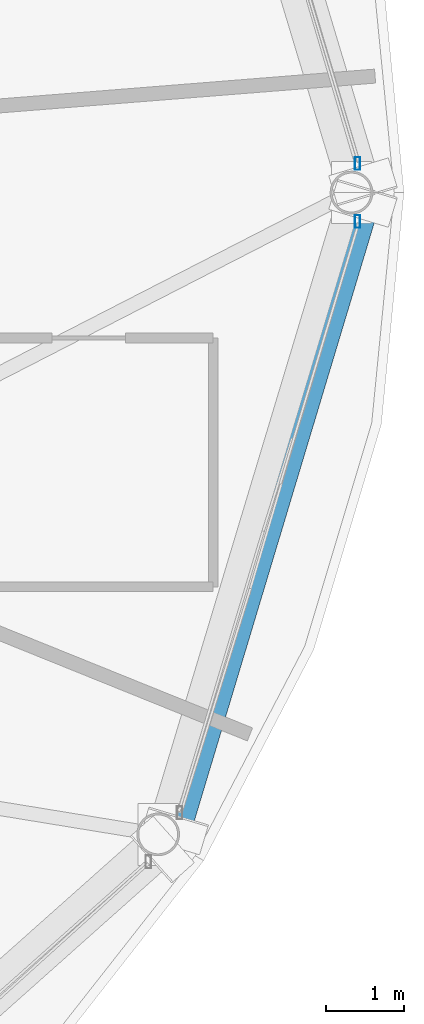
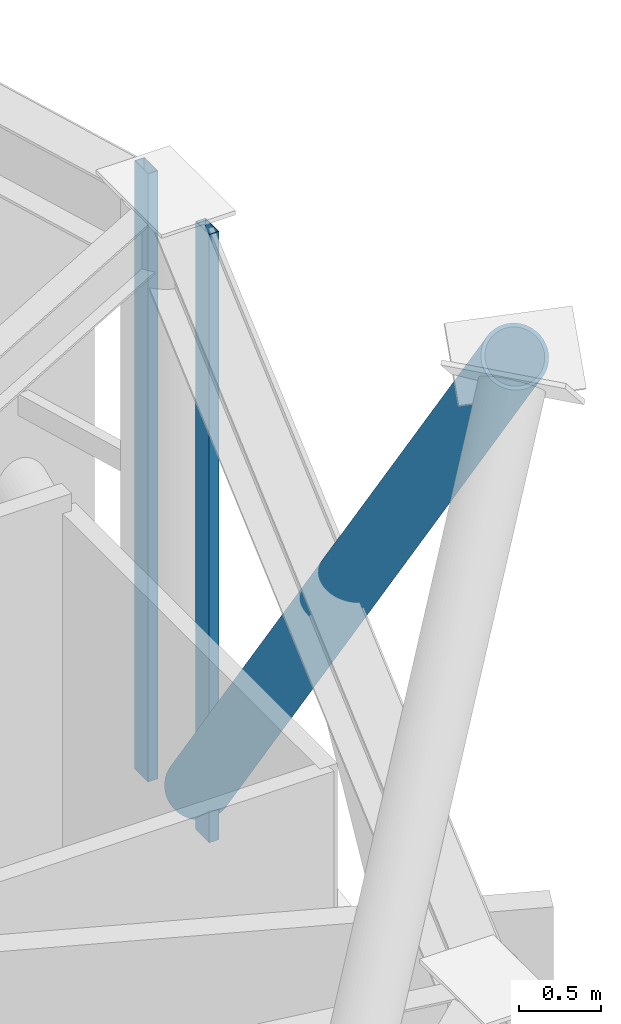
# One storey, part 15 of 27: 3 members, 2 elements without a shape of their own.
"""IFC4 building model written with IfcOpenShell, lengths in metres."""

from ifc_helpers import new_model, si_unit, direction, frame, origin, origin_2d, place, context, subcontext, project, spatial, hollow_rectangle, hollow_circle, extrude, material, layer, layer_set, material_profile, profile_set, type_object, element, aggregate, save


model = new_model("IFC4")

# Units and contexts
model_context = context("Model", 3, precision=1e-05, world=origin(), true_north=direction((0.0, 1.0)))
body_context = subcontext(model_context, "Body", "Model", "MODEL_VIEW")
ifc_project = project(units=[si_unit("LENGTHUNIT", "METRE"), si_unit("AREAUNIT", "SQUARE_METRE"), si_unit("VOLUMEUNIT", "CUBIC_METRE"), si_unit("PLANEANGLEUNIT", "RADIAN"), si_unit("MASSUNIT", "GRAM", prefix="KILO")], contexts=[model_context])

# Site, building, storey
site_placement = place(None, origin())
site = spatial("IfcSite", under=ifc_project, at=site_placement, CompositionType="ELEMENT")
building_placement = place(site_placement, origin())
building = spatial("IfcBuilding", under=site, at=building_placement, Name="Vantalir Tower", CompositionType="ELEMENT")
storey_placement = place(building_placement, frame((0.0, 0.0, 290.10009765625)))
storey = spatial("IfcBuildingStorey", under=building, at=storey_placement, Name="L73", CompositionType="ELEMENT", Elevation=290.10009765625)

# Curtain wall, member
ifc_material_1 = material(Name="Champagne-silver PVDF aluminium and double-silver Low-E glass", Category="aluminium")
ifc_layer = layer(ifc_material_1, 0.219970703125)
ifc_layer_set = layer_set([ifc_layer], Name="Champagne-silver PVDF aluminium and double-silver Low-E glass")
curtain_wall_type = type_object("IfcCurtainWallType", Name="CW-DIAMOND-Z4", PredefinedType="USERDEFINED", material=ifc_layer_set)
curtain_wall_1_placement = place(storey_placement, origin())
curtain_wall_1 = element("IfcCurtainWall", 1, at=curtain_wall_1_placement, inside=storey, type_object=curtain_wall_type, Name="L73 Quilted Pyramid-Diamond Curtain Wall S01", ObjectType="UNITISED CURTAIN WALL", PredefinedType="USERDEFINED")
ifc_material_2 = material(Name="Champagne-silver PVDF aluminium 6063-T6", Category="aluminium")
ifc_material_profile_1 = material_profile(ifc_material_2, hollow_rectangle(XDim=0.070068359375, YDim=0.1650390625, WallThickness=0.00390625, at=origin_2d()), Name="Champagne-silver PVDF aluminium 6063-T6")
ifc_profile_set_1 = profile_set([ifc_material_profile_1], Name="Champagne-silver PVDF aluminium 6063-T6")
member_type_1 = type_object("IfcMemberType", Name="CWM-165x70", PredefinedType="MULLION", material=ifc_profile_set_1)
member_1_placement = place(storey_placement, frame((50.137939453125, 25.373046875, 0.044921875), z_axis=(0.0, 0.0, 1.0), x_axis=(1.0, 0.0, 0.0)))
member_1 = element("IfcMember", 2, at=member_1_placement, type_object=member_type_1, Name="CW-L73-S01 Mullion 1", PredefinedType="MULLION", context=body_context, shape_type="SweptSolid", body=[
    extrude(hollow_rectangle(XDim=0.070068359375, YDim=0.1650390625, WallThickness=0.00390625, at=origin_2d()), origin(), (0.0, 0.0, 1.0), 4.530029296875),
])
aggregate(curtain_wall_1, [member_1])

curtain_wall_2_placement = place(storey_placement, origin())
curtain_wall_2 = element("IfcCurtainWall", 3, at=curtain_wall_2_placement, inside=storey, type_object=curtain_wall_type, Name="L73 Quilted Pyramid-Diamond Curtain Wall S12", ObjectType="UNITISED CURTAIN WALL", PredefinedType="USERDEFINED")
member_2_placement = place(storey_placement, frame((50.137939453125, 24.626953125, 0.044921875), z_axis=(0.0, 0.0, 1.0), x_axis=(1.0, 0.0, 0.0)))
member_2 = element("IfcMember", 4, at=member_2_placement, type_object=member_type_1, Name="CW-L73-S12 Mullion 2", PredefinedType="MULLION", context=body_context, shape_type="SweptSolid", body=[
    extrude(hollow_rectangle(XDim=0.070068359375, YDim=0.1650390625, WallThickness=0.00390625, at=origin_2d()), origin(), (0.0, 0.0, 1.0), 4.530029296875),
])
aggregate(curtain_wall_2, [member_2])

# Member
ifc_material_3 = material(Name="Steel S460", Category="steel")
ifc_material_profile_2 = material_profile(ifc_material_3, hollow_circle(Radius=0.2099609375, WallThickness=0.02490234375, at=origin_2d()), Name="Steel S460")
ifc_profile_set_2 = profile_set([ifc_material_profile_2], Name="Steel S460")
member_type_2 = type_object("IfcMemberType", Name="MEM-DB-420x25", PredefinedType="BRACE", material=ifc_profile_set_2)
member_3_placement = place(storey_placement, frame((50.20703125, 24.85595703125, 0.239990234375), z_axis=(-0.197544968292, -0.656548266359, 0.727956289515), x_axis=(0.95759294524, -0.288124541175, 0.0)))
element("IfcMember", 5, at=member_3_placement, inside=storey, type_object=member_type_2, Name="L73 Perimeter S460 Diagrid Brace R01R", PredefinedType="BRACE", context=body_context, shape_type="SweptSolid", body=[
    extrude(hollow_circle(Radius=0.2099609375, WallThickness=0.02490234375, at=origin_2d()), origin(), (0.0, 0.0, 1.0), 12.28076171875),
])

save(model, "model.ifc")
